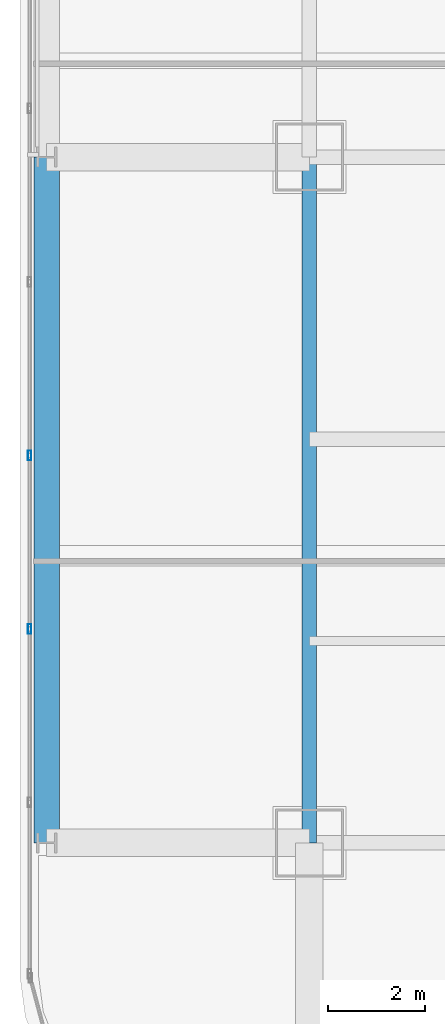
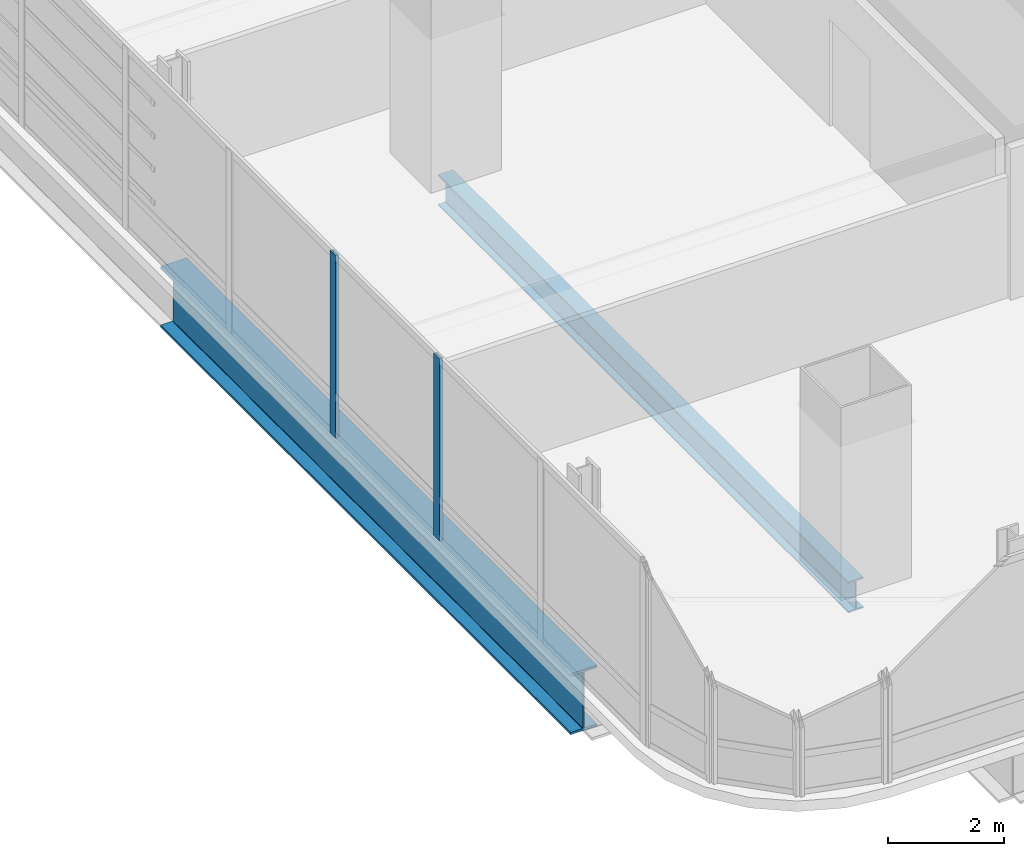
# One storey, part 4 of 36: 2 beams, 2 members, 1 element without a shape of its own.
"""IFC4 building model written with IfcOpenShell, lengths in metres."""

from ifc_helpers import new_model, si_unit, direction, frame, origin, origin_2d, place, context, subcontext, project, spatial, hollow_rectangle, i_section, extrude, material, material_profile, profile_set, type_object, element, aggregate, save


model = new_model("IFC4")

# Units and contexts
model_context = context("Model", 3, precision=1e-05, world=origin(), true_north=direction((0.0, 1.0)))
body_context = subcontext(model_context, "Body", "Model", "MODEL_VIEW")
ifc_project = project(units=[si_unit("LENGTHUNIT", "METRE"), si_unit("AREAUNIT", "SQUARE_METRE"), si_unit("VOLUMEUNIT", "CUBIC_METRE"), si_unit("PLANEANGLEUNIT", "RADIAN"), si_unit("MASSUNIT", "GRAM", prefix="KILO")], contexts=[model_context])

# Site, building, storey
site_placement = place(None, origin())
site = spatial("IfcSite", under=ifc_project, at=site_placement, CompositionType="ELEMENT")
building_placement = place(site_placement, origin())
building = spatial("IfcBuilding", under=site, at=building_placement, Name="Punatoya Terracotta Tower", CompositionType="ELEMENT")
storey_placement = place(building_placement, frame((0.0, 0.0, 176.25)))
storey = spatial("IfcBuildingStorey", under=building, at=storey_placement, Name="L41", CompositionType="ELEMENT", Elevation=176.25)

# Beams
ifc_material_1 = material(Name="Steel S355", Category="steel")
ifc_material_profile_1 = material_profile(ifc_material_1, i_section(OverallWidth=0.300048828125, OverallDepth=0.64990234375, WebThickness=0.01611328125, FlangeThickness=0.031005859375, FilletRadius=0.01806640625, at=origin_2d()))
ifc_profile_set_1 = profile_set([ifc_material_profile_1], Name="Steel S355")
beam_type_1 = type_object("IfcBeamType", Name="BM-PRI-650", PredefinedType="BEAM", material=ifc_profile_set_1)
beam_1_placement = place(storey_placement, frame((-19.10009765625, -17.5, -0.544921875), z_axis=(0.0, 1.0, 0.0), x_axis=(-1.0, 0.0, 0.0)))
element("IfcBeam", 1, at=beam_1_placement, inside=storey, type_object=beam_type_1, Name="BM-L41-RG-W1", PredefinedType="BEAM", context=body_context, shape_type="SweptSolid", body=[
    extrude(i_section(OverallWidth=0.300048828125, OverallDepth=0.64990234375, WebThickness=0.01611328125, FlangeThickness=0.031005859375, FilletRadius=0.01806640625, at=origin_2d()), origin(), (0.0, 0.0, 1.0), 14.10009765625),
])
ifc_material_2 = material(Name="Steel S460", Category="steel")
ifc_material_profile_2 = material_profile(ifc_material_2, i_section(OverallWidth=0.52001953125, OverallDepth=1.280029296875, WebThickness=0.031982421875, FlangeThickness=0.050048828125, FilletRadius=0.01806640625, at=origin_2d()))
ifc_profile_set_2 = profile_set([ifc_material_profile_2], Name="Steel S460")
beam_type_2 = type_object("IfcBeamType", Name="BM-TG-NCK", PredefinedType="BEAM", material=ifc_profile_set_2)
beam_2_placement = place(storey_placement, frame((-24.5, -17.5, -0.860107421875), z_axis=(0.0, 1.0, 0.0), x_axis=(-1.0, 0.0, 0.0)))
element("IfcBeam", 2, at=beam_2_placement, inside=storey, type_object=beam_type_2, Name="BM-L41-PER-W1", PredefinedType="BEAM", context=body_context, shape_type="SweptSolid", body=[
    extrude(i_section(OverallWidth=0.52001953125, OverallDepth=1.280029296875, WebThickness=0.031982421875, FlangeThickness=0.050048828125, FilletRadius=0.01806640625, at=origin_2d()), origin(), (0.0, 0.0, 1.0), 14.10009765625),
])

# Curtain wall, members
ifc_material_3 = material(Name="Aluminium 6063-T6 + Double Low-E Glass", Category="aluminium")
curtain_wall_type = type_object("IfcCurtainWallType", Name="CW-M2", PredefinedType="NOTDEFINED", material=ifc_material_3)
curtain_wall_placement = place(storey_placement, origin())
curtain_wall = element("IfcCurtainWall", 3, at=curtain_wall_placement, inside=storey, type_object=curtain_wall_type, Name="L41 Curtain Wall CW-L41-W13-1", PredefinedType="NOTDEFINED")
ifc_material_4 = material(Name="Aluminium 6063-T6", Category="aluminium")
ifc_material_profile_3 = material_profile(ifc_material_4, hollow_rectangle(XDim=0.072021484375, YDim=0.195068359375, WallThickness=0.00439453125, at=origin_2d()))
ifc_profile_set_3 = profile_set([ifc_material_profile_3], Name="Aluminium 6063-T6")
member_type = type_object("IfcMemberType", Name="CW-MUL-M2", PredefinedType="MULLION", material=ifc_profile_set_3)
member_1_placement = place(storey_placement, frame((-24.85009765625, -9.534912109375, 0.0), z_axis=(0.0, 0.0, 1.0), x_axis=(1.0, 0.0, 0.0)))
member_1 = element("IfcMember", 4, at=member_1_placement, type_object=member_type, Name="CW-L41-W13-1 Mullion 07", PredefinedType="MULLION", context=body_context, shape_type="SweptSolid", body=[
    extrude(hollow_rectangle(XDim=0.072021484375, YDim=0.195068359375, WallThickness=0.00439453125, at=origin_2d()), origin(), (0.0, 0.0, 1.0), 3.830078125),
])
member_2_placement = place(storey_placement, frame((-24.85009765625, -13.10205078125, 0.0), z_axis=(0.0, 0.0, 1.0), x_axis=(1.0, 0.0, 0.0)))
member_2 = element("IfcMember", 5, at=member_2_placement, type_object=member_type, Name="CW-L41-W13-1 Mullion 08", PredefinedType="MULLION", context=body_context, shape_type="SweptSolid", body=[
    extrude(hollow_rectangle(XDim=0.072021484375, YDim=0.195068359375, WallThickness=0.00439453125, at=origin_2d()), origin(), (0.0, 0.0, 1.0), 3.830078125),
])
aggregate(curtain_wall, [member_1, member_2])

save(model, "model.ifc")
